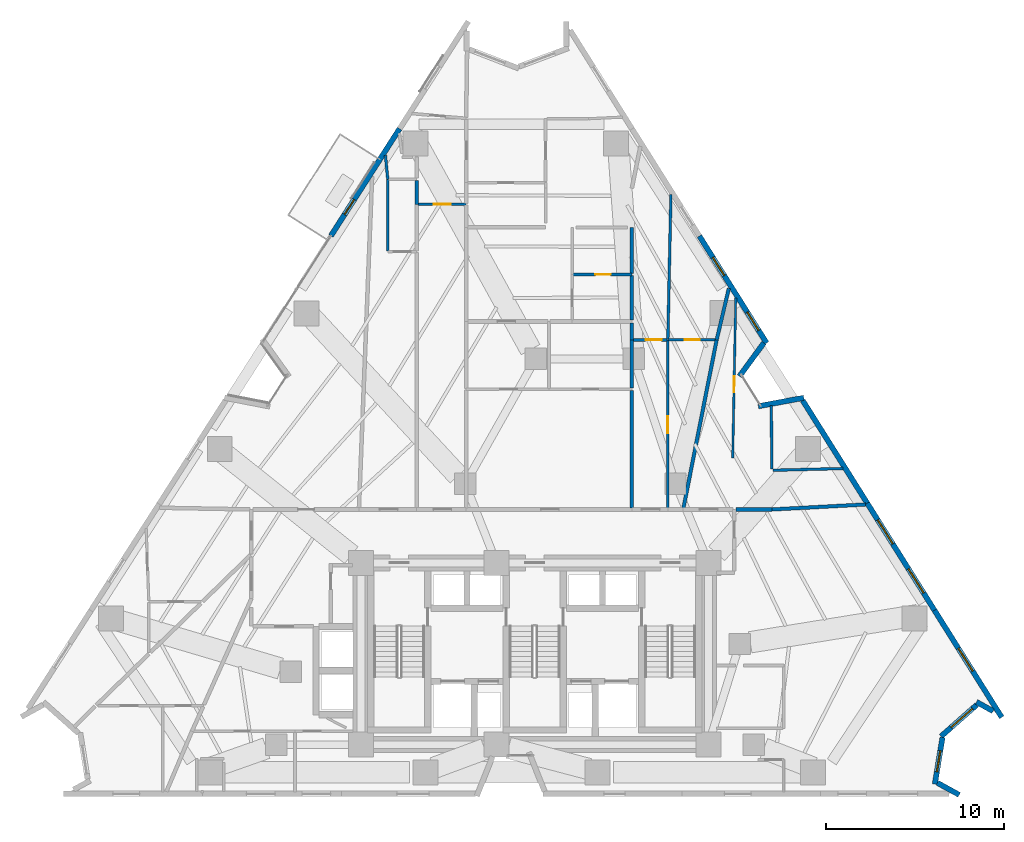
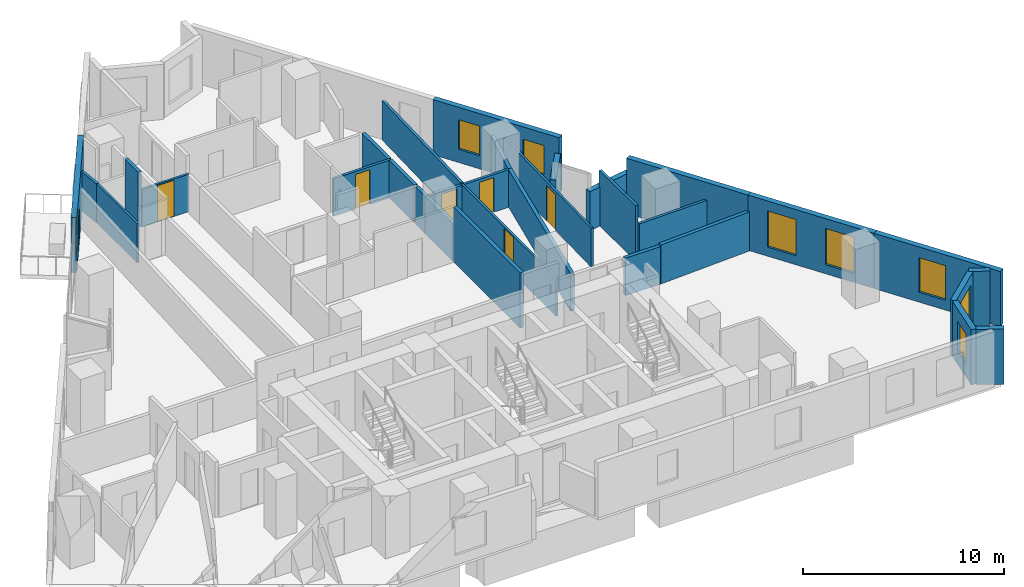
# One storey, part 10 of 13: 32 walls, 7 doors, 7 windows, 14 openings.
"""IFC4 building model written with IfcOpenShell, lengths in metres."""

import ifcopenshell
import ifcopenshell.guid

model = None  # the IFC model being written
_history = None  # IfcOwnerHistory: only IFC2X3 demands one
_inside = {}  # id of a spatial element -> (the spatial element, [elements in it])
_under = {}  # id of a project, library or spatial element -> (it, [spatial elements below it])
_declared = {}  # id of a project -> (the project, [libraries it declares])
_typed = {}  # id of a type object -> (the type object, [elements of that type])
_made_of = {}  # id of a material, layer set ... -> (it, [elements and type objects made of it])


def new_model(schema):
    """Start an empty IFC model of exactly this schema.

    Asked for "IFC4X3", IfcOpenShell would pick the latest addendum, in which some entities
    have other attributes; the version numbers below select the first issue.
    IFC2X3 requires an IfcOwnerHistory on every rooted entity: one is made here for all.
    """
    global model, _history
    if schema == "IFC4X3":
        model = ifcopenshell.file(schema_version=(4, 3, 0, 0))
    else:
        model = ifcopenshell.file(schema=schema)
    _inside.clear()
    _under.clear()
    _declared.clear()
    _typed.clear()
    _made_of.clear()
    _history = None
    if model.schema == "IFC2X3":
        org = make("IfcOrganization", Name="unknown")
        user = make(
            "IfcPersonAndOrganization",
            ThePerson=make("IfcPerson", FamilyName="unknown"),
            TheOrganization=org,
        )
        app = make(
            "IfcApplication",
            ApplicationDeveloper=org,
            Version="unknown",
            ApplicationFullName="unknown",
            ApplicationIdentifier="unknown",
        )
        _history = make(
            "IfcOwnerHistory",
            OwningUser=user,
            OwningApplication=app,
            ChangeAction="ADDED",
            CreationDate=0,
        )
    return model


def make(cls, **values):
    """One entity of the class cls with the attributes given. An attribute that is None is left unset."""
    return model.create_entity(
        cls, **{name: value for name, value in values.items() if value is not None}
    )


def rooted(cls, **values):
    """An entity with a GlobalId (a new one), such as an element, a storey or a relation."""
    return make(cls, GlobalId=ifcopenshell.guid.new(), OwnerHistory=_history, **values)


def si_unit(unit_type, name, prefix=None):
    """IfcSIUnit, for example si_unit("LENGTHUNIT", "METRE", prefix="MILLI")."""
    return make("IfcSIUnit", UnitType=unit_type, Prefix=prefix, Name=name)


def assignment(units):
    """IfcUnitAssignment: the units of a project."""
    return None if units is None else make("IfcUnitAssignment", Units=units)


def point(xyz):
    """IfcCartesianPoint."""
    return None if xyz is None else make("IfcCartesianPoint", Coordinates=xyz)


def direction(xyz):
    """IfcDirection."""
    return None if xyz is None else make("IfcDirection", DirectionRatios=xyz)


def frame(location, z_axis=None, x_axis=None):
    """IfcAxis2Placement3D, a coordinate frame: its origin and axes. An axis left out is left unset."""
    return make(
        "IfcAxis2Placement3D",
        Location=point(location),
        Axis=direction(z_axis),
        RefDirection=direction(x_axis),
    )


def frame_2d(location, x_axis=None):
    """IfcAxis2Placement2D, a coordinate frame in the plane: its origin and x axis."""
    return make(
        "IfcAxis2Placement2D", Location=point(location), RefDirection=direction(x_axis)
    )


def origin():
    """The frame at (0, 0, 0) with its axes left unset."""
    return frame((0.0, 0.0, 0.0))


def place(relative_to, where):
    """IfcLocalPlacement: puts the frame where relative to a parent placement (None: the world)."""
    return make(
        "IfcLocalPlacement", PlacementRelTo=relative_to, RelativePlacement=where
    )


def context(
    kind, dimensions, precision=None, world=None, true_north=None, identifier=None
):
    """IfcGeometricRepresentationContext, for example the 3D "Model" context."""
    return make(
        "IfcGeometricRepresentationContext",
        ContextIdentifier=identifier,
        ContextType=kind,
        CoordinateSpaceDimension=dimensions,
        Precision=precision,
        WorldCoordinateSystem=world,
        TrueNorth=true_north,
    )


def subcontext(parent, identifier, kind, view, scale=None):
    """IfcGeometricRepresentationSubContext, for example "Body" below "Model"."""
    return make(
        "IfcGeometricRepresentationSubContext",
        ContextIdentifier=identifier,
        ContextType=kind,
        ParentContext=parent,
        TargetScale=scale,
        TargetView=view,
    )


def project(units=None, contexts=None):
    """IfcProject with its units and contexts."""
    return rooted(
        "IfcProject",
        Name="project",
        RepresentationContexts=contexts,
        UnitsInContext=assignment(units),
    )


def spatial(cls, under=None, at=None, **own):
    """A site, building, storey or space (cls), placed at a placement, below another one or the project."""
    s = rooted(cls, ObjectPlacement=at, **own)
    if under is not None:
        _under.setdefault(under.id(), (under, []))[1].append(s)
    return s


def profile(cls, at=None, kind="AREA", **sizes):
    """A parametric profile (cls). Its sizes go by their IFC names, for example OverallWidth=200.0."""
    return make(cls, ProfileType=kind, Position=at, **sizes)


def rectangle(**sizes):
    """IfcRectangleProfileDef."""
    return profile("IfcRectangleProfileDef", **sizes)


def extrude(swept, where, along, depth):
    """IfcExtrudedAreaSolid: the profile swept, set in the frame where, extruded along a direction by depth."""
    return make(
        "IfcExtrudedAreaSolid",
        SweptArea=swept,
        Position=where,
        ExtrudedDirection=direction(along),
        Depth=depth,
    )


def shape(context_of_items, identifier, shape_type, items):
    """IfcShapeRepresentation: the items that make up one representation, for example the "Body"."""
    return make(
        "IfcShapeRepresentation",
        ContextOfItems=context_of_items,
        RepresentationIdentifier=identifier,
        RepresentationType=shape_type,
        Items=items,
    )


def material(Name=None, Category=None):
    """IfcMaterial."""
    return make("IfcMaterial", Name=Name, Category=Category)


def layer(
    of_material, thickness, ventilated=None, Name=None, Category=None, Priority=None
):
    """IfcMaterialLayer: one layer of a wall or slab, of a material (None: an air gap)."""
    return make(
        "IfcMaterialLayer",
        Material=of_material,
        LayerThickness=thickness,
        IsVentilated=ventilated,
        Name=Name,
        Category=Category,
        Priority=Priority,
    )


def layer_set(layers, Name=None):
    """IfcMaterialLayerSet."""
    return make("IfcMaterialLayerSet", MaterialLayers=layers, LayerSetName=Name)


def made_of(thing, what):
    """Note that an element or type object is made of a material, layer set ...; save() writes the relation."""
    if what is not None:
        _made_of.setdefault(what.id(), (what, []))[1].append(thing)
    return thing


def type_object(cls, material=None, **own):
    """A type object (cls), such as IfcWallType, which elements share."""
    return made_of(rooted(cls, **own), material)


def element(
    cls,
    number,
    at=None,
    inside=None,
    cuts=None,
    type_object=None,
    material=None,
    context=None,
    identifier="Body",
    shape_type=None,
    held_by="IfcProductDefinitionShape",
    body=None,
    shapes=None,
    **own,
):
    """One element of the class cls, such as IfcWall. Its Tag is "e" and its number.

    at: its placement. inside: the storey or other place that contains it. cuts: it is an
    opening in that element (IfcRelVoidsElement). A single representation is given by context,
    identifier, shape_type and body (its items); several are given by shapes. held_by: the class
    of the entity that holds the representations. save() writes the other relations.
    """
    e = rooted(cls, Tag="e%d" % number, ObjectPlacement=at, **own)
    if body is not None:
        shapes = [shape(context, identifier, shape_type, body)]
    if shapes is not None:
        e.Representation = make(held_by, Representations=shapes)
    if inside is not None:
        _inside.setdefault(inside.id(), (inside, []))[1].append(e)
    if cuts is not None:
        rooted(
            "IfcRelVoidsElement", RelatingBuildingElement=cuts, RelatedOpeningElement=e
        )
    if type_object is not None:
        _typed.setdefault(type_object.id(), (type_object, []))[1].append(e)
    return made_of(e, material)


def fill(opening, filler):
    """IfcRelFillsElement: the door or window that sits in an opening."""
    return rooted(
        "IfcRelFillsElement",
        RelatingOpeningElement=opening,
        RelatedBuildingElement=filler,
    )


def aggregate(whole, parts):
    """IfcRelAggregates: a whole, such as a stair, and the parts it consists of."""
    return rooted("IfcRelAggregates", RelatingObject=whole, RelatedObjects=parts)


def save(model, path):
    """Write the relations noted so far, then the file.

    IfcRelAggregates (storeys below a building ...), IfcRelContainedInSpatialStructure (elements
    in a storey), IfcRelDefinesByType, IfcRelAssociatesMaterial and IfcRelDeclares: one each for
    every whole, place, type object, material and project.
    """
    for whole, parts in _under.values():
        aggregate(whole, parts)
    for where, things in _inside.values():
        rooted(
            "IfcRelContainedInSpatialStructure",
            RelatedElements=things,
            RelatingStructure=where,
        )
    for kind, things in _typed.values():
        rooted("IfcRelDefinesByType", RelatedObjects=things, RelatingType=kind)
    for what, things in _made_of.values():
        rooted("IfcRelAssociatesMaterial", RelatedObjects=things, RelatingMaterial=what)
    for by, libraries in _declared.values():
        rooted("IfcRelDeclares", RelatingContext=by, RelatedDefinitions=libraries)
    model.write(path)


model = new_model("IFC4")

# Units and contexts
model_context = context("Model", 3, precision=1e-05, world=origin(), true_north=direction((0.0, 1.0)))
body_context = subcontext(model_context, "Body", "Model", "MODEL_VIEW")
ifc_project = project(units=[si_unit("LENGTHUNIT", "METRE"), si_unit("AREAUNIT", "SQUARE_METRE"), si_unit("VOLUMEUNIT", "CUBIC_METRE"), si_unit("PLANEANGLEUNIT", "RADIAN"), si_unit("MASSUNIT", "GRAM", prefix="KILO")], contexts=[model_context])

# Site, building, storey
site_placement = place(None, origin())
site = spatial("IfcSite", under=ifc_project, at=site_placement, CompositionType="ELEMENT")
building_placement = place(site_placement, origin())
building = spatial("IfcBuilding", under=site, at=building_placement, Name="Almagre Mirador Tower", CompositionType="ELEMENT")
storey_placement = place(building_placement, frame((0.0, 0.0, 53.39990234375)))
storey = spatial("IfcBuildingStorey", under=building, at=storey_placement, Name="L12", CompositionType="ELEMENT", Elevation=53.39990234375)

# Wall, opening, door
ifc_material_1 = material(Name="Precast concrete C50/60", Category="concrete")
ifc_layer_1 = layer(ifc_material_1, 0.300048828125)
ifc_layer_set_1 = layer_set([ifc_layer_1], Name="Precast concrete C50/60")
wall_type_1 = type_object("IfcWallType", Name="WAL-EXT-300", PredefinedType="SOLIDWALL", material=ifc_layer_set_1)
wall_1_placement = place(storey_placement, frame((25.8564453125, 33.101318359375, 0.0), z_axis=(0.0, 0.0, 1.0), x_axis=(0.539509086386, 0.841979777493, 0.0)))
wall_1 = element("IfcWall", 1, at=wall_1_placement, inside=storey, type_object=wall_type_1, Name="L12 expressed almagre precast frame wall 03", PredefinedType="SOLIDWALL", context=body_context, shape_type="SweptSolid", body=[
    extrude(rectangle(XDim=7.14892578125, YDim=0.300048828125, at=frame_2d((3.574462890625, 0.0))), origin(), (0.0, 0.0, 1.0), 3.35009765625),
])
opening_1_placement = place(wall_1_placement, frame((1.427001953125, 0.0, 0.0)))
opening_1 = element("IfcOpeningElement", 2, at=opening_1_placement, cuts=wall_1, Name="Opening BD-01", PredefinedType="OPENING", context=body_context, shape_type="SweptSolid", body=[
    extrude(rectangle(XDim=1.0, YDim=2.199951171875, at=frame_2d((0.5, 1.10009765625))), frame((0.0, 0.159902, 0.0), z_axis=(0.0, -1.0, 0.0), x_axis=(1.0, 0.0, 0.0)), (0.0, 0.0, 1.0), 0.320049),
])
ifc_material_2 = material(Name="Black anodized aluminium and laminated glass", Category="aluminium")
door_type_1 = type_object("IfcDoorType", Name="DOR-BAL-1000X2200", OperationType="NOTDEFINED", PredefinedType="DOOR", material=ifc_material_2)
door_1_placement = place(opening_1_placement, origin())
door_1 = element("IfcDoor", 3, at=door_1_placement, inside=storey, type_object=door_type_1, Name="DR-0375 L12 west balcony glazed door 2", OperationType="SINGLE_SWING_RIGHT", OverallHeight=2.199951171875, OverallWidth=1.0, PredefinedType="DOOR", context=body_context, shape_type="SweptSolid", body=[
    extrude(rectangle(XDim=1.0, YDim=2.199951171875, at=frame_2d((0.5, 1.10009765625))), frame((0.0, 0.02490234375, 0.0), z_axis=(0.0, -1.0, 0.0), x_axis=(1.0, 0.0, 0.0)), (0.0, 0.0, 1.0), 0.050048828125),
])
fill(opening_1, door_1)

# Wall, openings, windows
wall_2_placement = place(storey_placement, frame((46.53955078125, 33.098876953125, 0.0), z_axis=(0.0, 0.0, 1.0), x_axis=(0.531881188868, -0.846818989471, 0.0)))
wall_2 = element("IfcWall", 4, at=wall_2_placement, inside=storey, type_object=wall_type_1, Name="L12 expressed almagre precast frame wall 11", PredefinedType="SOLIDWALL", context=body_context, shape_type="SweptSolid", body=[
    extrude(rectangle(XDim=7.095458984375, YDim=0.300048828125, at=frame_2d((3.5478515625, 0.0))), origin(), (0.0, 0.0, 1.0), 3.35009765625),
])
opening_2_placement = place(wall_2_placement, frame((5.050048828125, 0.0, 0.800048828125)))
opening_2 = element("IfcOpeningElement", 5, at=opening_2_placement, cuts=wall_2, Name="Opening WN-04", PredefinedType="OPENING", context=body_context, shape_type="SweptSolid", body=[
    extrude(rectangle(XDim=1.199951171875, YDim=1.800048828125, at=frame_2d((0.60009765625, 0.89990234375))), frame((0.0, 0.159902, 0.0), z_axis=(0.0, -1.0, 0.0), x_axis=(1.0, 0.0, 0.0)), (0.0, 0.0, 1.0), 0.320049),
])
opening_3_placement = place(wall_2_placement, frame((1.425048828125, 0.0, 0.800048828125)))
opening_3 = element("IfcOpeningElement", 6, at=opening_3_placement, cuts=wall_2, Name="Opening WN-04", PredefinedType="OPENING", context=body_context, shape_type="SweptSolid", body=[
    extrude(rectangle(XDim=1.199951171875, YDim=1.800048828125, at=frame_2d((0.60009765625, 0.89990234375))), frame((0.0, 0.159902, 0.0), z_axis=(0.0, -1.0, 0.0), x_axis=(1.0, 0.0, 0.0)), (0.0, 0.0, 1.0), 0.320049),
])
ifc_material_3 = material(Name="Dark solar-control laminated hurricane glass", Category="glass")
window_type_1 = type_object("IfcWindowType", Name="WIN-1200X1800", PartitioningType="SINGLE_PANEL", PredefinedType="WINDOW", material=ifc_material_3)
window_1_placement = place(opening_2_placement, origin())
window_1 = element("IfcWindow", 7, at=window_1_placement, inside=storey, type_object=window_type_1, Name="L12 recessed hurricane window L12-UJ-KT", OverallHeight=1.800048828125, OverallWidth=1.199951171875, PartitioningType="SINGLE_PANEL", PredefinedType="WINDOW", context=body_context, shape_type="SweptSolid", body=[
    extrude(rectangle(XDim=1.199951171875, YDim=1.800048828125, at=frame_2d((0.60009765625, 0.89990234375))), frame((0.0, 0.030029296875, 0.0), z_axis=(0.0, -1.0, 0.0), x_axis=(1.0, 0.0, 0.0)), (0.0, 0.0, 1.0), 0.06005859375),
])
fill(opening_2, window_1)
window_2_placement = place(opening_3_placement, origin())
window_2 = element("IfcWindow", 8, at=window_2_placement, inside=storey, type_object=window_type_1, Name="L12 recessed hurricane window L12-UN-BT", OverallHeight=1.800048828125, OverallWidth=1.199951171875, PartitioningType="SINGLE_PANEL", PredefinedType="WINDOW", context=body_context, shape_type="SweptSolid", body=[
    extrude(rectangle(XDim=1.199951171875, YDim=1.800048828125, at=frame_2d((0.60009765625, 0.89990234375))), frame((0.0, 0.030029296875, 0.0), z_axis=(0.0, -1.0, 0.0), x_axis=(1.0, 0.0, 0.0)), (0.0, 0.0, 1.0), 0.06005859375),
])
fill(opening_3, window_2)

# Walls
wall_3_placement = place(storey_placement, frame((50.1591796875, 27.10009765625, 0.0), z_axis=(0.0, 0.0, 1.0), x_axis=(-0.589910976018, -0.80746829063, 0.0)))
element("IfcWall", 9, at=wall_3_placement, inside=storey, type_object=wall_type_1, Name="L12 expressed almagre precast frame wall 12", PredefinedType="SOLIDWALL", context=body_context, shape_type="SweptSolid", body=[
    extrude(rectangle(XDim=2.318359375, YDim=0.300048828125, at=frame_2d((1.1591796875, 0.0))), origin(), (0.0, 0.0, 1.0), 2.375),
])
wall_4_placement = place(storey_placement, frame((49.847412109375, 23.545654296875, 0.0), z_axis=(0.0, 0.0, 1.0), x_axis=(0.98340285181, 0.181435473521, 0.0)))
element("IfcWall", 10, at=wall_4_placement, inside=storey, type_object=wall_type_1, Name="L12 expressed almagre precast frame wall 13", PredefinedType="SOLIDWALL", context=body_context, shape_type="SweptSolid", body=[
    extrude(rectangle(XDim=2.59423828125, YDim=0.300048828125, at=frame_2d((1.297119140625, 0.0))), origin(), (0.0, 0.0, 1.0), 2.375),
])
wall_5_placement = place(storey_placement, frame((52.332763671875, 23.876708984375, 0.0), z_axis=(0.0, 0.0, 1.0), x_axis=(0.531902467435, -0.846805624176, 0.0)))
element("IfcWall", 11, at=wall_5_placement, inside=storey, type_object=wall_type_1, Name="L12 expressed almagre precast frame wall 14", PredefinedType="SOLIDWALL", context=body_context, shape_type="SweptSolid", body=[
    extrude(rectangle(XDim=6.8203125, YDim=0.300048828125, at=frame_2d((3.41015625, 0.0))), origin(), (0.0, 0.0, 1.0), 3.35009765625),
])

# Wall, openings, windows
wall_6_placement = place(storey_placement, frame((55.96044921875, 18.101318359375, 0.0), z_axis=(0.0, 0.0, 1.0), x_axis=(0.531905862358, -0.84680349172, 0.0)))
wall_6 = element("IfcWall", 12, at=wall_6_placement, inside=storey, type_object=wall_type_1, Name="L12 expressed almagre precast frame wall 15", PredefinedType="SOLIDWALL", context=body_context, shape_type="SweptSolid", body=[
    extrude(rectangle(XDim=7.095458984375, YDim=0.300048828125, at=frame_2d((3.5478515625, 0.0))), origin(), (0.0, 0.0, 1.0), 3.35009765625),
])
opening_4_placement = place(wall_6_placement, frame((4.35009765625, 0.0, 0.550048828125)))
opening_4 = element("IfcOpeningElement", 13, at=opening_4_placement, cuts=wall_6, Name="Opening WN-06", PredefinedType="OPENING", context=body_context, shape_type="SweptSolid", body=[
    extrude(rectangle(XDim=1.60009765625, YDim=2.199951171875, at=frame_2d((0.800048828125, 1.10009765625))), frame((0.0, 0.159902, 0.0), z_axis=(0.0, -1.0, 0.0), x_axis=(1.0, 0.0, 0.0)), (0.0, 0.0, 1.0), 0.320049),
])
opening_5_placement = place(wall_6_placement, frame((1.10009765625, 0.0, 0.550048828125)))
opening_5 = element("IfcOpeningElement", 14, at=opening_5_placement, cuts=wall_6, Name="Opening WN-06", PredefinedType="OPENING", context=body_context, shape_type="SweptSolid", body=[
    extrude(rectangle(XDim=1.60009765625, YDim=2.199951171875, at=frame_2d((0.800048828125, 1.10009765625))), frame((0.0, 0.159902, 0.0), z_axis=(0.0, -1.0, 0.0), x_axis=(1.0, 0.0, 0.0)), (0.0, 0.0, 1.0), 0.320049),
])
ifc_material_4 = material(Name="Dark solar-control laminated hurricane glass", Category="glass")
window_type_2 = type_object("IfcWindowType", Name="WIN-1600X2200", PartitioningType="DOUBLE_PANEL_VERTICAL", PredefinedType="WINDOW", material=ifc_material_4)
window_3_placement = place(opening_4_placement, origin())
window_3 = element("IfcWindow", 15, at=window_3_placement, inside=storey, type_object=window_type_2, Name="L12 recessed hurricane window L12-UD-LV", OverallHeight=2.199951171875, OverallWidth=1.60009765625, PartitioningType="SINGLE_PANEL", PredefinedType="WINDOW", context=body_context, shape_type="SweptSolid", body=[
    extrude(rectangle(XDim=1.60009765625, YDim=2.199951171875, at=frame_2d((0.800048828125, 1.10009765625))), frame((0.0, 0.030029296875, 0.0), z_axis=(0.0, -1.0, 0.0), x_axis=(1.0, 0.0, 0.0)), (0.0, 0.0, 1.0), 0.06005859375),
])
fill(opening_4, window_3)
window_4_placement = place(opening_5_placement, origin())
window_4 = element("IfcWindow", 16, at=window_4_placement, inside=storey, type_object=window_type_2, Name="L12 recessed hurricane window L12-UD-HB", OverallHeight=2.199951171875, OverallWidth=1.60009765625, PartitioningType="SINGLE_PANEL", PredefinedType="WINDOW", context=body_context, shape_type="SweptSolid", body=[
    extrude(rectangle(XDim=1.60009765625, YDim=2.199951171875, at=frame_2d((0.800048828125, 1.10009765625))), frame((0.0, 0.030029296875, 0.0), z_axis=(0.0, -1.0, 0.0), x_axis=(1.0, 0.0, 0.0)), (0.0, 0.0, 1.0), 0.06005859375),
])
fill(opening_5, window_4)

# Wall, opening, window
wall_7_placement = place(storey_placement, frame((59.734619140625, 12.0927734375, 0.0), z_axis=(0.0, 0.0, 1.0), x_axis=(0.531896686906, -0.846809255062, 0.0)))
wall_7 = element("IfcWall", 17, at=wall_7_placement, inside=storey, type_object=wall_type_1, Name="L12 expressed almagre precast frame wall 16", PredefinedType="SOLIDWALL", context=body_context, shape_type="SweptSolid", body=[
    extrude(rectangle(XDim=7.09521484375, YDim=0.300048828125, at=frame_2d((3.547607421875, 0.0))), origin(), (0.0, 0.0, 1.0), 3.35009765625),
])
opening_6_placement = place(wall_7_placement, frame((2.52490234375, 0.0, 0.60009765625)))
opening_6 = element("IfcOpeningElement", 18, at=opening_6_placement, cuts=wall_7, Name="Opening WN-03", PredefinedType="OPENING", context=body_context, shape_type="SweptSolid", body=[
    extrude(rectangle(XDim=1.5, YDim=2.10009765625, at=frame_2d((0.75, 1.050048828125))), frame((0.0, 0.159902, 0.0), z_axis=(0.0, -1.0, 0.0), x_axis=(1.0, 0.0, 0.0)), (0.0, 0.0, 1.0), 0.320049),
])
ifc_material_5 = material(Name="Dark solar-control laminated hurricane glass", Category="glass")
window_type_3 = type_object("IfcWindowType", Name="WIN-1500X2100", PartitioningType="DOUBLE_PANEL_VERTICAL", PredefinedType="WINDOW", material=ifc_material_5)
window_5_placement = place(opening_6_placement, origin())
window_5 = element("IfcWindow", 19, at=window_5_placement, inside=storey, type_object=window_type_3, Name="L12 recessed hurricane window L12-UD-MB", OverallHeight=2.10009765625, OverallWidth=1.5, PartitioningType="SINGLE_PANEL", PredefinedType="WINDOW", context=body_context, shape_type="SweptSolid", body=[
    extrude(rectangle(XDim=1.5, YDim=2.10009765625, at=frame_2d((0.75, 1.050048828125))), frame((0.0, 0.030029296875, 0.0), z_axis=(0.0, -1.0, 0.0), x_axis=(1.0, 0.0, 0.0)), (0.0, 0.0, 1.0), 0.06005859375),
])
fill(opening_6, window_5)

# Wall
wall_8_placement = place(storey_placement, frame((63.022705078125, 6.430419921875, 0.0), z_axis=(0.0, 0.0, 1.0), x_axis=(-0.875139372777, 0.48387093136, 0.0)))
element("IfcWall", 20, at=wall_8_placement, inside=storey, type_object=wall_type_1, Name="L12 expressed almagre precast frame wall 17", PredefinedType="SOLIDWALL", context=body_context, shape_type="SweptSolid", body=[
    extrude(rectangle(XDim=1.065185546875, YDim=0.300048828125, at=frame_2d((0.53271484375, 0.0))), origin(), (0.0, 0.0, 1.0), 3.35009765625),
])

# Wall, opening, window
wall_9_placement = place(storey_placement, frame((62.11181640625, 6.788818359375, 0.0), z_axis=(0.0, 0.0, 1.0), x_axis=(-0.749880449764, -0.661573360303, 0.0)))
wall_9 = element("IfcWall", 21, at=wall_9_placement, inside=storey, type_object=wall_type_1, Name="L12 expressed almagre precast frame wall 18", PredefinedType="SOLIDWALL", context=body_context, shape_type="SweptSolid", body=[
    extrude(rectangle(XDim=2.67626953125, YDim=0.300048828125, at=frame_2d((1.338134765625, 0.0))), origin(), (0.0, 0.0, 1.0), 3.35009765625),
])
opening_7_placement = place(wall_9_placement, frame((0.324951171875, 0.0, 0.550048828125)))
opening_7 = element("IfcOpeningElement", 22, at=opening_7_placement, cuts=wall_9, Name="Opening WN-06", PredefinedType="OPENING", context=body_context, shape_type="SweptSolid", body=[
    extrude(rectangle(XDim=1.60009765625, YDim=2.199951171875, at=frame_2d((0.800048828125, 1.10009765625))), frame((0.0, 0.159902, 0.0), z_axis=(0.0, -1.0, 0.0), x_axis=(1.0, 0.0, 0.0)), (0.0, 0.0, 1.0), 0.320049),
])
window_6_placement = place(opening_7_placement, origin())
window_6 = element("IfcWindow", 23, at=window_6_placement, inside=storey, type_object=window_type_2, Name="L12 recessed hurricane window L12-UD-MB", OverallHeight=2.199951171875, OverallWidth=1.60009765625, PartitioningType="SINGLE_PANEL", PredefinedType="WINDOW", context=body_context, shape_type="SweptSolid", body=[
    extrude(rectangle(XDim=1.60009765625, YDim=2.199951171875, at=frame_2d((0.800048828125, 1.10009765625))), frame((0.0, 0.030029296875, 0.0), z_axis=(0.0, -1.0, 0.0), x_axis=(1.0, 0.0, 0.0)), (0.0, 0.0, 1.0), 0.06005859375),
])
fill(opening_7, window_6)

wall_10_placement = place(storey_placement, frame((60.18505859375, 4.9580078125, 0.0), z_axis=(0.0, 0.0, 1.0), x_axis=(-0.16141694699, -0.986886300049, 0.0)))
wall_10 = element("IfcWall", 24, at=wall_10_placement, inside=storey, type_object=wall_type_1, Name="L12 expressed almagre precast frame wall 19", PredefinedType="SOLIDWALL", context=body_context, shape_type="SweptSolid", body=[
    extrude(rectangle(XDim=2.656005859375, YDim=0.300048828125, at=frame_2d((1.328125, 0.0))), origin(), (0.0, 0.0, 1.0), 3.35009765625),
])
opening_8_placement = place(wall_10_placement, frame((0.7548828125, 0.0, 0.800048828125)))
opening_8 = element("IfcOpeningElement", 25, at=opening_8_placement, cuts=wall_10, Name="Opening WN-04", PredefinedType="OPENING", context=body_context, shape_type="SweptSolid", body=[
    extrude(rectangle(XDim=1.199951171875, YDim=1.800048828125, at=frame_2d((0.60009765625, 0.89990234375))), frame((0.0, 0.159902, 0.0), z_axis=(0.0, -1.0, 0.0), x_axis=(1.0, 0.0, 0.0)), (0.0, 0.0, 1.0), 0.320049),
])
window_7_placement = place(opening_8_placement, origin())
window_7 = element("IfcWindow", 26, at=window_7_placement, inside=storey, type_object=window_type_1, Name="L12 recessed hurricane window L12-UD-KT", OverallHeight=1.800048828125, OverallWidth=1.199951171875, PartitioningType="SINGLE_PANEL", PredefinedType="WINDOW", context=body_context, shape_type="SweptSolid", body=[
    extrude(rectangle(XDim=1.199951171875, YDim=1.800048828125, at=frame_2d((0.60009765625, 0.89990234375))), frame((0.0, 0.030029296875, 0.0), z_axis=(0.0, -1.0, 0.0), x_axis=(1.0, 0.0, 0.0)), (0.0, 0.0, 1.0), 0.06005859375),
])
fill(opening_8, window_7)

# Wall
wall_11_placement = place(storey_placement, frame((59.897216796875, 2.40966796875, 0.0), z_axis=(0.0, 0.0, 1.0), x_axis=(0.875216279123, -0.483731810777, 0.0)))
element("IfcWall", 27, at=wall_11_placement, inside=storey, type_object=wall_type_1, Name="L12 expressed almagre precast frame wall 20", PredefinedType="SOLIDWALL", context=body_context, shape_type="SweptSolid", body=[
    extrude(rectangle(XDim=1.400146484375, YDim=0.300048828125, at=frame_2d((0.7001953125, 0.0))), origin(), (0.0, 0.0, 1.0), 3.35009765625),
])

# Wall, opening, door
ifc_material_6 = material(Name="Gypsum acoustic stud partition", Category="other")
ifc_layer_2 = layer(ifc_material_6, 0.125)
ifc_layer_set_2 = layer_set([ifc_layer_2], Name="Gypsum acoustic stud partition")
wall_type_2 = type_object("IfcWallType", Name="WAL-PRT-125-UTL", PredefinedType="PARTITIONING", material=ifc_layer_set_2)
wall_12_placement = place(storey_placement, frame((48.580078125, 29.62890625, 0.0), z_axis=(0.0, 0.0, 1.0), x_axis=(-0.01892705246, -0.999820867298, 0.0)))
wall_12 = element("IfcWall", 28, at=wall_12_placement, inside=storey, type_object=wall_type_2, Name="L12 interior partition 068", PredefinedType="PARTITIONING", context=body_context, shape_type="SweptSolid", body=[
    extrude(rectangle(XDim=8.99072265625, YDim=0.125, at=frame_2d((4.495361328125, 0.0))), origin(), (0.0, 0.0, 1.0), 2.3701171875),
])
opening_9_placement = place(wall_12_placement, frame((4.40283203125, 0.0, 0.0)))
opening_9 = element("IfcOpeningElement", 29, at=opening_9_placement, cuts=wall_12, Name="Opening UD-02", PredefinedType="OPENING", context=body_context, shape_type="SweptSolid", body=[
    extrude(rectangle(XDim=0.89990234375, YDim=2.14990234375, at=frame_2d((0.449951171875, 1.074951171875))), frame((0.0, 0.0725, 0.0), z_axis=(0.0, -1.0, 0.0), x_axis=(1.0, 0.0, 0.0)), (0.0, 0.0, 1.0), 0.145),
])
ifc_material_7 = material(Name="Solid American walnut timber", Category="wood")
door_type_2 = type_object("IfcDoorType", Name="DOR-UNR-900X2150", OperationType="NOTDEFINED", PredefinedType="DOOR", material=ifc_material_7)
door_2_placement = place(opening_9_placement, origin())
door_2 = element("IfcDoor", 30, at=door_2_placement, inside=storey, type_object=door_type_2, Name="DR-0396 L12 interior door L12-UJ-KT to L12-UJ-MB", OperationType="SINGLE_SWING_RIGHT", OverallHeight=2.14990234375, OverallWidth=0.89990234375, PredefinedType="DOOR", context=body_context, shape_type="SweptSolid", body=[
    extrude(rectangle(XDim=0.89990234375, YDim=2.14990234375, at=frame_2d((0.449951171875, 1.074951171875))), frame((0.0, 0.02490234375, 0.0), z_axis=(0.0, -1.0, 0.0), x_axis=(1.0, 0.0, 0.0)), (0.0, 0.0, 1.0), 0.050048828125),
])
fill(opening_9, door_2)

# Wall
wall_13_placement = place(storey_placement, frame((29.050048828125, 32.257568359375, 0.0), z_axis=(0.0, 0.0, 1.0), x_axis=(0.0, 1.0, 0.0)))
element("IfcWall", 31, at=wall_13_placement, inside=storey, type_object=wall_type_2, Name="L12 interior partition 072", PredefinedType="PARTITIONING", context=body_context, shape_type="SweptSolid", body=[
    extrude(rectangle(XDim=4.0224609375, YDim=0.125, at=frame_2d((2.01123046875, 0.0))), origin(), (0.0, 0.0, 1.0), 2.3701171875),
])

# Wall, opening, door
wall_14_placement = place(storey_placement, frame((33.449951171875, 34.8798828125, 0.0), z_axis=(0.0, 0.0, 1.0), x_axis=(-1.0, 0.0, 0.0)))
wall_14 = element("IfcWall", 32, at=wall_14_placement, inside=storey, type_object=wall_type_2, Name="L12 interior partition 079", PredefinedType="PARTITIONING", context=body_context, shape_type="SweptSolid", body=[
    extrude(rectangle(XDim=2.695068359375, YDim=0.125, at=frame_2d((1.34765625, 0.0))), origin(), (0.0, 0.0, 1.0), 2.279052734375),
])
opening_10_placement = place(wall_14_placement, frame((0.85546875, 0.0, 0.0)))
opening_10 = element("IfcOpeningElement", 33, at=opening_10_placement, cuts=wall_14, Name="Opening UD-01", PredefinedType="OPENING", context=body_context, shape_type="SweptSolid", body=[
    extrude(rectangle(XDim=0.949951171875, YDim=2.199951171875, at=frame_2d((0.47509765625, 1.10009765625))), frame((0.0, 0.0725, 0.0), z_axis=(0.0, -1.0, 0.0), x_axis=(1.0, 0.0, 0.0)), (0.0, 0.0, 1.0), 0.145),
])
ifc_material_8 = material(Name="Solid American walnut timber", Category="wood")
door_type_3 = type_object("IfcDoorType", Name="DOR-UNR-950X2200", OperationType="NOTDEFINED", PredefinedType="DOOR", material=ifc_material_8)
door_3_placement = place(opening_10_placement, origin())
door_3 = element("IfcDoor", 34, at=door_3_placement, inside=storey, type_object=door_type_3, Name="DR-0400 L12 interior door L12-UL-ST to L12-UL-KT", OperationType="SINGLE_SWING_LEFT", OverallHeight=2.199951171875, OverallWidth=0.949951171875, PredefinedType="DOOR", context=body_context, shape_type="SweptSolid", body=[
    extrude(rectangle(XDim=0.949951171875, YDim=2.199951171875, at=frame_2d((0.47509765625, 1.10009765625))), frame((0.0, 0.02490234375, 0.0), z_axis=(0.0, -1.0, 0.0), x_axis=(1.0, 0.0, 0.0)), (0.0, 0.0, 1.0), 0.050048828125),
])
fill(opening_10, door_3)

wall_15_placement = place(storey_placement, frame((44.77001953125, 17.8349609375, 0.0), z_axis=(0.0, 0.0, 1.0), x_axis=(0.0, 1.0, 0.0)))
wall_15 = element("IfcWall", 35, at=wall_15_placement, inside=storey, type_object=wall_type_2, Name="L12 interior partition 092", PredefinedType="PARTITIONING", context=body_context, shape_type="SweptSolid", body=[
    extrude(rectangle(XDim=9.43505859375, YDim=0.125, at=frame_2d((4.717529296875, 0.0))), origin(), (0.0, 0.0, 1.0), 2.30908203125),
])
opening_11_placement = place(wall_15_placement, frame((4.199951171875, 0.0, 0.0)))
opening_11 = element("IfcOpeningElement", 36, at=opening_11_placement, cuts=wall_15, Name="Opening UD-01", PredefinedType="OPENING", context=body_context, shape_type="SweptSolid", body=[
    extrude(rectangle(XDim=0.949951171875, YDim=2.199951171875, at=frame_2d((0.47509765625, 1.10009765625))), frame((0.0, 0.0725, 0.0), z_axis=(0.0, -1.0, 0.0), x_axis=(1.0, 0.0, 0.0)), (0.0, 0.0, 1.0), 0.145),
])
door_4_placement = place(opening_11_placement, origin())
door_4 = element("IfcDoor", 37, at=door_4_placement, inside=storey, type_object=door_type_3, Name="DR-0405 L12 interior door L12-UN-LV to L12-UN-KT", OperationType="SINGLE_SWING_RIGHT", OverallHeight=2.199951171875, OverallWidth=0.949951171875, PredefinedType="DOOR", context=body_context, shape_type="SweptSolid", body=[
    extrude(rectangle(XDim=0.949951171875, YDim=2.199951171875, at=frame_2d((0.47509765625, 1.10009765625))), frame((0.0, 0.02490234375, 0.0), z_axis=(0.0, -1.0, 0.0), x_axis=(1.0, 0.0, 0.0)), (0.0, 0.0, 1.0), 0.050048828125),
])
fill(opening_11, door_4)

# Wall
ifc_material_9 = material(Name="Gypsum acoustic stud partition", Category="other")
ifc_layer_3 = layer(ifc_material_9, 0.14990234375)
ifc_layer_set_3 = layer_set([ifc_layer_3], Name="Gypsum acoustic stud partition")
wall_type_3 = type_object("IfcWallType", Name="WAL-PRT-150-STD", PredefinedType="PARTITIONING", material=ifc_layer_set_3)
wall_16_placement = place(storey_placement, frame((29.050048828125, 36.280029296875, 0.0), z_axis=(0.0, 0.0, 1.0), x_axis=(-0.096301097919, 0.995352248473, 0.0)))
element("IfcWall", 38, at=wall_16_placement, inside=storey, type_object=wall_type_3, Name="L12 interior partition 073", PredefinedType="PARTITIONING", context=body_context, shape_type="SweptSolid", body=[
    extrude(rectangle(XDim=1.351318359375, YDim=0.14990234375, at=frame_2d((0.67578125, 0.0))), origin(), (0.0, 0.0, 1.0), 2.3701171875),
])

# Wall, opening, door
wall_17_placement = place(storey_placement, frame((42.75, 30.93994140625, 0.0), z_axis=(0.0, 0.0, 1.0), x_axis=(-1.0, 0.0, 0.0)))
wall_17 = element("IfcWall", 39, at=wall_17_placement, inside=storey, type_object=wall_type_3, Name="L12 interior partition 089", PredefinedType="PARTITIONING", context=body_context, shape_type="SweptSolid", body=[
    extrude(rectangle(XDim=3.302490234375, YDim=0.14990234375, at=frame_2d((1.6513671875, 0.0))), origin(), (0.0, 0.0, 1.0), 2.279052734375),
])
opening_12_placement = place(wall_17_placement, frame((1.191650390625, 0.0, 0.0)))
opening_12 = element("IfcOpeningElement", 40, at=opening_12_placement, cuts=wall_17, Name="Opening UD-04", PredefinedType="OPENING", context=body_context, shape_type="SweptSolid", body=[
    extrude(rectangle(XDim=0.85009765625, YDim=2.10009765625, at=frame_2d((0.425048828125, 1.050048828125))), frame((0.0, 0.084951, 0.0), z_axis=(0.0, -1.0, 0.0), x_axis=(1.0, 0.0, 0.0)), (0.0, 0.0, 1.0), 0.169902),
])
ifc_material_10 = material(Name="Moisture-resistant oak timber", Category="wood")
door_type_4 = type_object("IfcDoorType", Name="DOR-UNR-850X2100", OperationType="NOTDEFINED", PredefinedType="DOOR", material=ifc_material_10)
door_5_placement = place(opening_12_placement, origin())
door_5 = element("IfcDoor", 41, at=door_5_placement, inside=storey, type_object=door_type_4, Name="DR-0403 L12 interior door L12-UM-KT to L12-UM-BT", OperationType="SINGLE_SWING_RIGHT", OverallHeight=2.10009765625, OverallWidth=0.85009765625, PredefinedType="DOOR", context=body_context, shape_type="SweptSolid", body=[
    extrude(rectangle(XDim=0.85009765625, YDim=2.10009765625, at=frame_2d((0.425048828125, 1.050048828125))), frame((0.0, 0.02490234375, 0.0), z_axis=(0.0, -1.0, 0.0), x_axis=(1.0, 0.0, 0.0)), (0.0, 0.0, 1.0), 0.050048828125),
])
fill(opening_12, door_5)

wall_18_placement = place(storey_placement, frame((44.8173828125, 27.27001953125, 0.0), z_axis=(0.0, 0.0, 1.0), x_axis=(1.0, 0.0, 0.0)))
wall_18 = element("IfcWall", 42, at=wall_18_placement, inside=storey, type_object=wall_type_3, Name="L12 interior partition 094", PredefinedType="PARTITIONING", context=body_context, shape_type="SweptSolid", body=[
    extrude(rectangle(XDim=2.607666015625, YDim=0.14990234375, at=frame_2d((1.3037109375, 0.0))), origin(), (0.0, 0.0, 1.0), 2.279052734375),
])
opening_13_placement = place(wall_18_placement, frame((0.8974609375, 0.0, 0.0)))
opening_13 = element("IfcOpeningElement", 43, at=opening_13_placement, cuts=wall_18, Name="Opening UD-04", PredefinedType="OPENING", context=body_context, shape_type="SweptSolid", body=[
    extrude(rectangle(XDim=0.85009765625, YDim=2.10009765625, at=frame_2d((0.425048828125, 1.050048828125))), frame((0.0, 0.084951, 0.0), z_axis=(0.0, -1.0, 0.0), x_axis=(1.0, 0.0, 0.0)), (0.0, 0.0, 1.0), 0.169902),
])
door_6_placement = place(opening_13_placement, origin())
door_6 = element("IfcDoor", 44, at=door_6_placement, inside=storey, type_object=door_type_4, Name="DR-0406 L12 interior door L12-UN-BT to L12-UN-KT", OperationType="SINGLE_SWING_LEFT", OverallHeight=2.10009765625, OverallWidth=0.85009765625, PredefinedType="DOOR", context=body_context, shape_type="SweptSolid", body=[
    extrude(rectangle(XDim=0.85009765625, YDim=2.10009765625, at=frame_2d((0.425048828125, 1.050048828125))), frame((0.0, 0.02490234375, 0.0), z_axis=(0.0, -1.0, 0.0), x_axis=(1.0, 0.0, 0.0)), (0.0, 0.0, 1.0), 0.050048828125),
])
fill(opening_13, door_6)

# Walls
wall_19_placement = place(storey_placement, frame((44.94091796875, 35.4208984375, 0.0), z_axis=(0.0, 0.0, 1.0), x_axis=(-0.020966427288, -0.999780180303, 0.0)))
element("IfcWall", 45, at=wall_19_placement, inside=storey, type_object=wall_type_3, Name="L12 interior partition 095", PredefinedType="PARTITIONING", context=body_context, shape_type="SweptSolid", body=[
    extrude(rectangle(XDim=8.127685546875, YDim=0.14990234375, at=frame_2d((4.06396484375, 0.0))), origin(), (0.0, 0.0, 1.0), 2.3701171875),
])
wall_20_placement = place(storey_placement, frame((54.60302734375, 20.048095703125, 0.0), z_axis=(0.0, 0.0, 1.0), x_axis=(-0.999688808111, -0.024945679755, 0.0)))
element("IfcWall", 46, at=wall_20_placement, inside=storey, type_object=wall_type_3, Name="L12 interior partition 118", PredefinedType="PARTITIONING", context=body_context, shape_type="SweptSolid", body=[
    extrude(rectangle(XDim=3.934326171875, YDim=0.14990234375, at=frame_2d((1.96728515625, 0.0))), origin(), (0.0, 0.0, 1.0), 2.279052734375),
])
wall_21_placement = place(storey_placement, frame((50.610107421875, 20.010009765625, 0.0), z_axis=(0.0, 0.0, 1.0), x_axis=(-0.01040042281, 0.99994591414, 0.0)))
element("IfcWall", 47, at=wall_21_placement, inside=storey, type_object=wall_type_3, Name="L12 interior partition 119", PredefinedType="PARTITIONING", context=body_context, shape_type="SweptSolid", body=[
    extrude(rectangle(XDim=3.568115234375, YDim=0.14990234375, at=frame_2d((1.7841796875, 0.0))), origin(), (0.0, 0.0, 1.0), 3.35009765625),
])

# Wall, opening, door
ifc_material_11 = material(Name="Gypsum acoustic stud partition", Category="other")
ifc_layer_4 = layer(ifc_material_11, 0.175048828125)
ifc_layer_set_4 = layer_set([ifc_layer_4], Name="Gypsum acoustic stud partition")
wall_type_4 = type_object("IfcWallType", Name="WAL-PRT-175-AC", PredefinedType="PARTITIONING", material=ifc_layer_set_4)
wall_22_placement = place(storey_placement, frame((44.722412109375, 27.27001953125, 0.0), z_axis=(0.0, 0.0, 1.0), x_axis=(-1.0, 0.0, 0.0)))
wall_22 = element("IfcWall", 48, at=wall_22_placement, inside=storey, type_object=wall_type_4, Name="L12 interior partition 093", PredefinedType="PARTITIONING", context=body_context, shape_type="SweptSolid", body=[
    extrude(rectangle(XDim=1.887451171875, YDim=0.175048828125, at=frame_2d((0.94384765625, 0.0))), origin(), (0.0, 0.0, 1.0), 2.279052734375),
])
opening_14_placement = place(wall_22_placement, frame((0.302490234375, 0.0, 0.0)))
opening_14 = element("IfcOpeningElement", 49, at=opening_14_placement, cuts=wall_22, Name="Opening UD-02", PredefinedType="OPENING", context=body_context, shape_type="SweptSolid", body=[
    extrude(rectangle(XDim=0.89990234375, YDim=2.14990234375, at=frame_2d((0.449951171875, 1.074951171875))), frame((0.0, 0.097402, 0.0), z_axis=(0.0, -1.0, 0.0), x_axis=(1.0, 0.0, 0.0)), (0.0, 0.0, 1.0), 0.195049),
])
door_7_placement = place(opening_14_placement, origin())
door_7 = element("IfcDoor", 50, at=door_7_placement, inside=storey, type_object=door_type_2, Name="DR-0407 L12 interior door L12-UN-LV to L12-UN-B1", OperationType="SINGLE_SWING_RIGHT", OverallHeight=2.14990234375, OverallWidth=0.89990234375, PredefinedType="DOOR", context=body_context, shape_type="SweptSolid", body=[
    extrude(rectangle(XDim=0.89990234375, YDim=2.14990234375, at=frame_2d((0.449951171875, 1.074951171875))), frame((0.0, 0.02490234375, 0.0), z_axis=(0.0, -1.0, 0.0), x_axis=(1.0, 0.0, 0.0)), (0.0, 0.0, 1.0), 0.050048828125),
])
fill(opening_14, door_7)

# Walls
ifc_material_12 = material(Name="Gypsum acoustic stud partition", Category="other")
ifc_layer_5 = layer(ifc_material_12, 0.199951171875)
ifc_layer_set_5 = layer_set([ifc_layer_5], Name="Gypsum acoustic stud partition")
wall_type_5 = type_object("IfcWallType", Name="WAL-PRT-200-EI60", PredefinedType="PARTITIONING", material=ifc_layer_set_5)
wall_23_placement = place(storey_placement, frame((50.610107421875, 17.75, 0.0), z_axis=(0.0, 0.0, 1.0), x_axis=(-1.0, 0.0, 0.0)))
element("IfcWall", 51, at=wall_23_placement, inside=storey, type_object=wall_type_5, Name="L12 interior partition 050", PredefinedType="PARTITIONING", context=body_context, shape_type="SweptSolid", body=[
    extrude(rectangle(XDim=2.025146484375, YDim=0.199951171875, at=frame_2d((1.0126953125, 0.0))), origin(), (0.0, 0.0, 1.0), 2.279052734375),
])
wall_24_placement = place(storey_placement, frame((55.866943359375, 18.029052734375, 0.0), z_axis=(0.0, 0.0, 1.0), x_axis=(-0.998594026739, -0.053009147899, 0.0)))
element("IfcWall", 52, at=wall_24_placement, inside=storey, type_object=wall_type_5, Name="L12 interior partition 051", PredefinedType="PARTITIONING", context=body_context, shape_type="SweptSolid", body=[
    extrude(rectangle(XDim=5.26416015625, YDim=0.199951171875, at=frame_2d((2.632080078125, 0.0))), origin(), (0.0, 0.0, 1.0), 2.3701171875),
])
wall_25_placement = place(storey_placement, frame((42.75, 17.8349609375, 0.0), z_axis=(0.0, 0.0, 1.0), x_axis=(0.0, 1.0, 0.0)))
element("IfcWall", 53, at=wall_25_placement, inside=storey, type_object=wall_type_5, Name="L12 interior partition 056", PredefinedType="PARTITIONING", context=body_context, shape_type="SweptSolid", body=[
    extrude(rectangle(XDim=6.60498046875, YDim=0.199951171875, at=frame_2d((3.302490234375, 0.0))), origin(), (0.0, 0.0, 1.0), 3.35009765625),
])
wall_26_placement = place(storey_placement, frame((42.75, 24.56005859375, 0.0), z_axis=(0.0, 0.0, 1.0), x_axis=(0.0, 1.0, 0.0)))
element("IfcWall", 54, at=wall_26_placement, inside=storey, type_object=wall_type_5, Name="L12 interior partition 062", PredefinedType="PARTITIONING", context=body_context, shape_type="SweptSolid", body=[
    extrude(rectangle(XDim=2.7099609375, YDim=0.199951171875, at=frame_2d((1.35498046875, 0.0))), origin(), (0.0, 0.0, 1.0), 2.279052734375),
])
wall_27_placement = place(storey_placement, frame((42.75, 27.27001953125, 0.0), z_axis=(0.0, 0.0, 1.0), x_axis=(0.0, 1.0, 0.0)))
element("IfcWall", 55, at=wall_27_placement, inside=storey, type_object=wall_type_5, Name="L12 interior partition 063", PredefinedType="PARTITIONING", context=body_context, shape_type="SweptSolid", body=[
    extrude(rectangle(XDim=0.945068359375, YDim=0.199951171875, at=frame_2d((0.47265625, 0.0))), origin(), (0.0, 0.0, 1.0), 2.279052734375),
])
wall_28_placement = place(storey_placement, frame((48.193115234375, 30.156494140625, 0.0), z_axis=(0.0, 0.0, 1.0), x_axis=(-0.230296152423, -0.973120589742, 0.0)))
element("IfcWall", 56, at=wall_28_placement, inside=storey, type_object=wall_type_5, Name="L12 interior partition 069", PredefinedType="PARTITIONING", context=body_context, shape_type="SweptSolid", body=[
    extrude(rectangle(XDim=2.96630859375, YDim=0.199951171875, at=frame_2d((1.483154296875, 0.0))), origin(), (0.0, 0.0, 1.0), 2.279052734375),
])
wall_29_placement = place(storey_placement, frame((30.669921875, 34.8798828125, 0.0), z_axis=(0.0, 0.0, 1.0), x_axis=(0.0, 1.0, 0.0)))
element("IfcWall", 57, at=wall_29_placement, inside=storey, type_object=wall_type_5, Name="L12 interior partition 077", PredefinedType="PARTITIONING", context=body_context, shape_type="SweptSolid", body=[
    extrude(rectangle(XDim=1.340087890625, YDim=0.199951171875, at=frame_2d((0.669921875, 0.0))), origin(), (0.0, 0.0, 1.0), 3.35009765625),
])
wall_30_placement = place(storey_placement, frame((42.75, 28.385009765625, 0.0), z_axis=(0.0, 0.0, 1.0), x_axis=(0.0, 1.0, 0.0)))
element("IfcWall", 58, at=wall_30_placement, inside=storey, type_object=wall_type_5, Name="L12 interior partition 090", PredefinedType="PARTITIONING", context=body_context, shape_type="SweptSolid", body=[
    extrude(rectangle(XDim=2.494873046875, YDim=0.199951171875, at=frame_2d((1.24755859375, 0.0))), origin(), (0.0, 0.0, 1.0), 2.279052734375),
])
wall_31_placement = place(storey_placement, frame((42.75, 31.0, 0.0), z_axis=(0.0, 0.0, 1.0), x_axis=(0.0, 1.0, 0.0)))
element("IfcWall", 59, at=wall_31_placement, inside=storey, type_object=wall_type_5, Name="L12 interior partition 091", PredefinedType="PARTITIONING", context=body_context, shape_type="SweptSolid", body=[
    extrude(rectangle(XDim=2.580078125, YDim=0.199951171875, at=frame_2d((1.2900390625, 0.0))), origin(), (0.0, 0.0, 1.0), 2.279052734375),
])
wall_32_placement = place(storey_placement, frame((47.510009765625, 27.27001953125, 0.0), z_axis=(0.0, 0.0, 1.0), x_axis=(-0.193738465681, -0.981053213091, 0.0)))
element("IfcWall", 60, at=wall_32_placement, inside=storey, type_object=wall_type_5, Name="L12 interior partition 106", PredefinedType="PARTITIONING", context=body_context, shape_type="SweptSolid", body=[
    extrude(rectangle(XDim=9.61865234375, YDim=0.199951171875, at=frame_2d((4.809326171875, 0.0))), origin(), (0.0, 0.0, 1.0), 2.279052734375),
])

save(model, "model.ifc")
